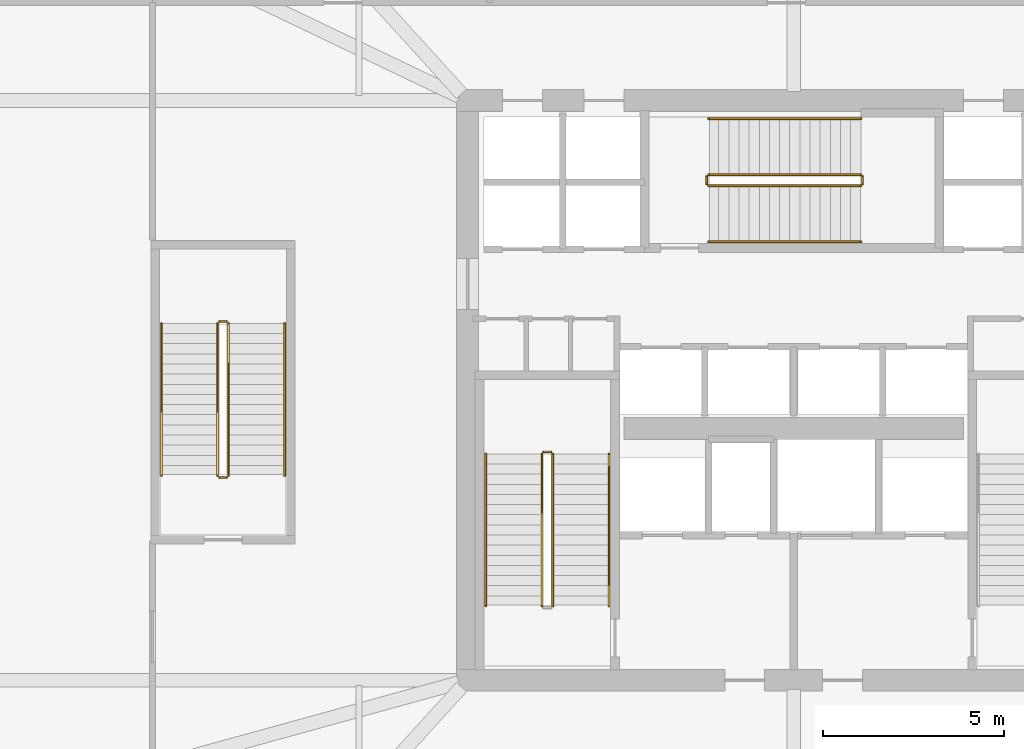
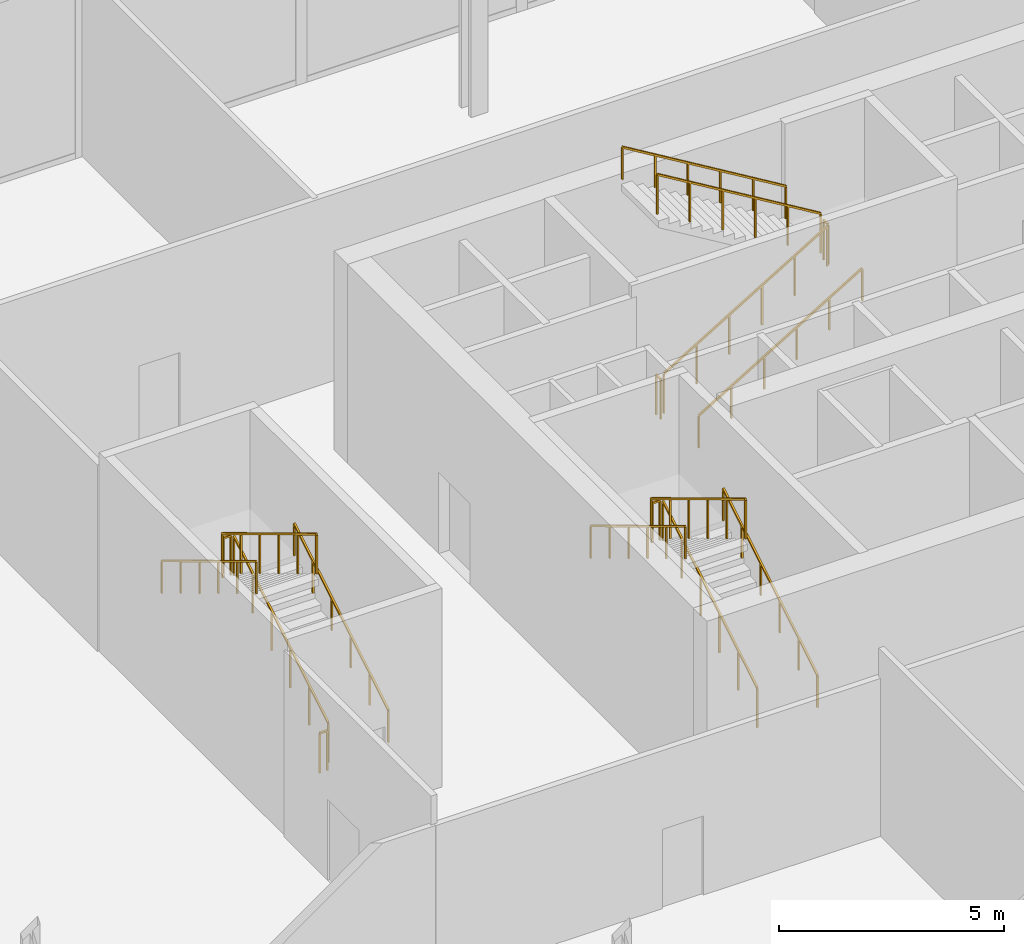
# One storey, part 18 of 20: 17 railings.
"""IFC4 building model written with IfcOpenShell, lengths in metres."""

from ifc_helpers import new_model, si_unit, direction, frame, origin, origin_2d, place, context, subcontext, project, spatial, rectangle, extrude, material, type_object, element, save


model = new_model("IFC4")

# Units and contexts
model_context = context("Model", 3, precision=1e-05, world=origin(), true_north=direction((0.0, 1.0)))
body_context = subcontext(model_context, "Body", "Model", "MODEL_VIEW")
ifc_project = project(units=[si_unit("LENGTHUNIT", "METRE"), si_unit("AREAUNIT", "SQUARE_METRE"), si_unit("VOLUMEUNIT", "CUBIC_METRE"), si_unit("PLANEANGLEUNIT", "RADIAN"), si_unit("MASSUNIT", "GRAM", prefix="KILO")], contexts=[model_context])

# Site, building, storey
site_placement = place(None, origin())
site = spatial("IfcSite", under=ifc_project, at=site_placement, CompositionType="ELEMENT")
building_placement = place(site_placement, origin())
building = spatial("IfcBuilding", under=site, at=building_placement, Name="Haldenkirk Collegiate Tower", CompositionType="ELEMENT")
storey_placement = place(building_placement, frame((0.0, 0.0, 11.39990234375)))
storey = spatial("IfcBuildingStorey", under=building, at=storey_placement, Name="L02", CompositionType="ELEMENT", Elevation=11.39990234375)

# Railings
ifc_material = material(Name="Painted architectural tubular steel", Category="steel")
railing_type_1 = type_object("IfcRailingType", Name="RLG-STAIR-GUARD-1100", PredefinedType="BALUSTRADE", material=ifc_material)
railing_1_placement = place(storey_placement, frame((29.35009765625, 20.050048828125, 0.1689453125)))
element("IfcRailing", 1, at=railing_1_placement, inside=storey, type_object=railing_type_1, Name="L02 ST-1 stair guard 1", PredefinedType="BALUSTRADE", context=body_context, shape_type="SweptSolid", body=[
    extrude(rectangle(XDim=0.048095703125, YDim=0.048095703125, at=origin_2d()), frame((0.0, 0.0, 1.076171875), z_axis=(0.0, 0.856476492594, 0.516186030065), x_axis=(-1.0, 0.0, 0.0)), (0.0, 0.0, 1.0), 4.90380859375),
    extrude(rectangle(XDim=0.0419921875, YDim=0.0419921875, at=origin_2d()), origin(), (0.0, 0.0, 1.0), 1.052001953125),
    extrude(rectangle(XDim=0.0419921875, YDim=0.0419921875, at=origin_2d()), frame((0.0, 0.840087890625, 0.50634765625)), (0.0, 0.0, 1.0), 1.052001953125),
    extrude(rectangle(XDim=0.0419921875, YDim=0.0419921875, at=origin_2d()), frame((0.0, 1.679931640625, 1.012451171875)), (0.0, 0.0, 1.0), 1.052001953125),
    extrude(rectangle(XDim=0.0419921875, YDim=0.0419921875, at=origin_2d()), frame((0.0, 2.52001953125, 1.518798828125)), (0.0, 0.0, 1.0), 1.052001953125),
    extrude(rectangle(XDim=0.0419921875, YDim=0.0419921875, at=origin_2d()), frame((0.0, 3.35986328125, 2.02490234375)), (0.0, 0.0, 1.0), 1.052001953125),
    extrude(rectangle(XDim=0.0419921875, YDim=0.0419921875, at=origin_2d()), frame((0.0, 4.199951171875, 2.53125)), (0.0, 0.0, 1.0), 1.052001953125),
])
railing_2_placement = place(storey_placement, frame((29.300048828125, 24.300048828125, 2.7001953125)))
element("IfcRailing", 2, at=railing_2_placement, inside=storey, type_object=railing_type_1, Name="L02 ST-1 stair guard 2", PredefinedType="BALUSTRADE", context=body_context, shape_type="SweptSolid", body=[
    extrude(rectangle(XDim=0.048095703125, YDim=0.048095703125, at=origin_2d()), frame((0.0, 0.0, 1.076171875), z_axis=(-1.0, 0.0, 0.0), x_axis=(0.0, -1.0, 0.0)), (0.0, 0.0, 1.0), 0.199951171875),
    extrude(rectangle(XDim=0.0419921875, YDim=0.0419921875, at=origin_2d()), origin(), (0.0, 0.0, 1.0), 1.052001953125),
    extrude(rectangle(XDim=0.0419921875, YDim=0.0419921875, at=origin_2d()), frame((-0.199951171875, 0.0, 0.0)), (0.0, 0.0, 1.0), 1.052001953125),
])
railing_3_placement = place(storey_placement, frame((29.050048828125, 24.25, 2.868896484375)))
element("IfcRailing", 3, at=railing_3_placement, inside=storey, type_object=railing_type_1, Name="L02 ST-1 stair guard 3", PredefinedType="BALUSTRADE", context=body_context, shape_type="SweptSolid", body=[
    extrude(rectangle(XDim=0.048095703125, YDim=0.048095703125, at=origin_2d()), frame((0.0, 0.0, 1.076171875), z_axis=(0.0, -0.856476492594, 0.516186030065), x_axis=(1.0, 0.0, 0.0)), (0.0, 0.0, 1.0), 4.90380859375),
    extrude(rectangle(XDim=0.0419921875, YDim=0.0419921875, at=origin_2d()), origin(), (0.0, 0.0, 1.0), 1.052001953125),
    extrude(rectangle(XDim=0.0419921875, YDim=0.0419921875, at=origin_2d()), frame((0.0, -0.840087890625, 0.50634765625)), (0.0, 0.0, 1.0), 1.052001953125),
    extrude(rectangle(XDim=0.0419921875, YDim=0.0419921875, at=origin_2d()), frame((0.0, -1.679931640625, 1.012451171875)), (0.0, 0.0, 1.0), 1.052001953125),
    extrude(rectangle(XDim=0.0419921875, YDim=0.0419921875, at=origin_2d()), frame((0.0, -2.52001953125, 1.518798828125)), (0.0, 0.0, 1.0), 1.052001953125),
    extrude(rectangle(XDim=0.0419921875, YDim=0.0419921875, at=origin_2d()), frame((0.0, -3.35986328125, 2.02490234375)), (0.0, 0.0, 1.0), 1.052001953125),
    extrude(rectangle(XDim=0.0419921875, YDim=0.0419921875, at=origin_2d()), frame((0.0, -4.199951171875, 2.53125)), (0.0, 0.0, 1.0), 1.052001953125),
])
railing_4_placement = place(storey_placement, frame((33.64990234375, 31.64990234375, 0.1689453125)))
element("IfcRailing", 4, at=railing_4_placement, inside=storey, type_object=railing_type_1, Name="L02 ST-3 stair guard 1", PredefinedType="BALUSTRADE", context=body_context, shape_type="SweptSolid", body=[
    extrude(rectangle(XDim=0.048095703125, YDim=0.048095703125, at=origin_2d()), frame((0.0, 0.0, 1.076171875), z_axis=(0.856489757249, 0.0, 0.516164020179), x_axis=(0.0, 1.0, 0.0)), (0.0, 0.0, 1.0), 4.904052734375),
    extrude(rectangle(XDim=0.0419921875, YDim=0.0419921875, at=origin_2d()), origin(), (0.0, 0.0, 1.0), 1.052001953125),
    extrude(rectangle(XDim=0.0419921875, YDim=0.0419921875, at=origin_2d()), frame((0.840087890625, 0.0, 0.50634765625)), (0.0, 0.0, 1.0), 1.052001953125),
    extrude(rectangle(XDim=0.0419921875, YDim=0.0419921875, at=origin_2d()), frame((1.68017578125, 0.0, 1.012451171875)), (0.0, 0.0, 1.0), 1.052001953125),
    extrude(rectangle(XDim=0.0419921875, YDim=0.0419921875, at=origin_2d()), frame((2.52001953125, 0.0, 1.518798828125)), (0.0, 0.0, 1.0), 1.052001953125),
    extrude(rectangle(XDim=0.0419921875, YDim=0.0419921875, at=origin_2d()), frame((3.360107421875, 0.0, 2.02490234375)), (0.0, 0.0, 1.0), 1.052001953125),
    extrude(rectangle(XDim=0.0419921875, YDim=0.0419921875, at=origin_2d()), frame((4.2001953125, 0.0, 2.53125)), (0.0, 0.0, 1.0), 1.052001953125),
])
railing_5_placement = place(storey_placement, frame((37.89990234375, 31.699951171875, 2.7001953125)))
element("IfcRailing", 5, at=railing_5_placement, inside=storey, type_object=railing_type_1, Name="L02 ST-3 stair guard 2", PredefinedType="BALUSTRADE", context=body_context, shape_type="SweptSolid", body=[
    extrude(rectangle(XDim=0.048095703125, YDim=0.048095703125, at=origin_2d()), frame((0.0, 0.0, 1.076171875), z_axis=(0.0, 1.0, 0.0), x_axis=(-1.0, 0.0, 0.0)), (0.0, 0.0, 1.0), 0.199951171875),
    extrude(rectangle(XDim=0.0419921875, YDim=0.0419921875, at=origin_2d()), origin(), (0.0, 0.0, 1.0), 1.052001953125),
    extrude(rectangle(XDim=0.0419921875, YDim=0.0419921875, at=origin_2d()), frame((0.0, 0.199951171875, 0.0)), (0.0, 0.0, 1.0), 1.052001953125),
])
railing_6_placement = place(storey_placement, frame((37.85009765625, 31.949951171875, 2.868896484375)))
element("IfcRailing", 6, at=railing_6_placement, inside=storey, type_object=railing_type_1, Name="L02 ST-3 stair guard 3", PredefinedType="BALUSTRADE", context=body_context, shape_type="SweptSolid", body=[
    extrude(rectangle(XDim=0.048095703125, YDim=0.048095703125, at=origin_2d()), frame((0.0, 0.0, 1.076171875), z_axis=(-0.856489757249, 0.0, 0.516164020179), x_axis=(0.0, -1.0, 0.0)), (0.0, 0.0, 1.0), 4.904052734375),
    extrude(rectangle(XDim=0.0419921875, YDim=0.0419921875, at=origin_2d()), origin(), (0.0, 0.0, 1.0), 1.052001953125),
    extrude(rectangle(XDim=0.0419921875, YDim=0.0419921875, at=origin_2d()), frame((-0.840087890625, 0.0, 0.50634765625)), (0.0, 0.0, 1.0), 1.052001953125),
    extrude(rectangle(XDim=0.0419921875, YDim=0.0419921875, at=origin_2d()), frame((-1.68017578125, 0.0, 1.012451171875)), (0.0, 0.0, 1.0), 1.052001953125),
    extrude(rectangle(XDim=0.0419921875, YDim=0.0419921875, at=origin_2d()), frame((-2.52001953125, 0.0, 1.518798828125)), (0.0, 0.0, 1.0), 1.052001953125),
    extrude(rectangle(XDim=0.0419921875, YDim=0.0419921875, at=origin_2d()), frame((-3.360107421875, 0.0, 2.02490234375)), (0.0, 0.0, 1.0), 1.052001953125),
    extrude(rectangle(XDim=0.0419921875, YDim=0.0419921875, at=origin_2d()), frame((-4.2001953125, 0.0, 2.53125)), (0.0, 0.0, 1.0), 1.052001953125),
])
railing_7_placement = place(storey_placement, frame((33.60009765625, 31.699951171875, 0.0)))
element("IfcRailing", 7, at=railing_7_placement, inside=storey, type_object=railing_type_1, Name="L02 ST-3 stair guard 4", PredefinedType="BALUSTRADE", context=body_context, shape_type="SweptSolid", body=[
    extrude(rectangle(XDim=0.048095703125, YDim=0.048095703125, at=origin_2d()), frame((0.0, 0.0, 1.076171875), z_axis=(0.0, 1.0, 0.0), x_axis=(-1.0, 0.0, 0.0)), (0.0, 0.0, 1.0), 0.199951171875),
    extrude(rectangle(XDim=0.0419921875, YDim=0.0419921875, at=origin_2d()), origin(), (0.0, 0.0, 1.0), 1.052001953125),
    extrude(rectangle(XDim=0.0419921875, YDim=0.0419921875, at=origin_2d()), frame((0.0, 0.199951171875, 0.0)), (0.0, 0.0, 1.0), 1.052001953125),
])
railing_8_placement = place(storey_placement, frame((20.39990234375, 23.64990234375, 0.1689453125)))
element("IfcRailing", 8, at=railing_8_placement, inside=storey, type_object=railing_type_1, Name="L02 ST-4 stair guard 1", PredefinedType="BALUSTRADE", context=body_context, shape_type="SweptSolid", body=[
    extrude(rectangle(XDim=0.048095703125, YDim=0.048095703125, at=origin_2d()), frame((0.0, 0.0, 1.076171875), z_axis=(0.0, 0.856489757249, 0.516164020179), x_axis=(-1.0, 0.0, 0.0)), (0.0, 0.0, 1.0), 4.904052734375),
    extrude(rectangle(XDim=0.0419921875, YDim=0.0419921875, at=origin_2d()), origin(), (0.0, 0.0, 1.0), 1.052001953125),
    extrude(rectangle(XDim=0.0419921875, YDim=0.0419921875, at=origin_2d()), frame((0.0, 0.840087890625, 0.50634765625)), (0.0, 0.0, 1.0), 1.052001953125),
    extrude(rectangle(XDim=0.0419921875, YDim=0.0419921875, at=origin_2d()), frame((0.0, 1.68017578125, 1.012451171875)), (0.0, 0.0, 1.0), 1.052001953125),
    extrude(rectangle(XDim=0.0419921875, YDim=0.0419921875, at=origin_2d()), frame((0.0, 2.52001953125, 1.518798828125)), (0.0, 0.0, 1.0), 1.052001953125),
    extrude(rectangle(XDim=0.0419921875, YDim=0.0419921875, at=origin_2d()), frame((0.0, 3.360107421875, 2.02490234375)), (0.0, 0.0, 1.0), 1.052001953125),
    extrude(rectangle(XDim=0.0419921875, YDim=0.0419921875, at=origin_2d()), frame((0.0, 4.2001953125, 2.53125)), (0.0, 0.0, 1.0), 1.052001953125),
])
railing_9_placement = place(storey_placement, frame((20.35009765625, 27.89990234375, 2.7001953125)))
element("IfcRailing", 9, at=railing_9_placement, inside=storey, type_object=railing_type_1, Name="L02 ST-4 stair guard 2", PredefinedType="BALUSTRADE", context=body_context, shape_type="SweptSolid", body=[
    extrude(rectangle(XDim=0.048095703125, YDim=0.048095703125, at=origin_2d()), frame((0.0, 0.0, 1.076171875), z_axis=(-1.0, 0.0, 0.0), x_axis=(0.0, -1.0, 0.0)), (0.0, 0.0, 1.0), 0.2001953125),
    extrude(rectangle(XDim=0.0419921875, YDim=0.0419921875, at=origin_2d()), origin(), (0.0, 0.0, 1.0), 1.052001953125),
    extrude(rectangle(XDim=0.0419921875, YDim=0.0419921875, at=origin_2d()), frame((-0.2001953125, 0.0, 0.0)), (0.0, 0.0, 1.0), 1.052001953125),
])
railing_10_placement = place(storey_placement, frame((20.10009765625, 27.85009765625, 2.868896484375)))
element("IfcRailing", 10, at=railing_10_placement, inside=storey, type_object=railing_type_1, Name="L02 ST-4 stair guard 3", PredefinedType="BALUSTRADE", context=body_context, shape_type="SweptSolid", body=[
    extrude(rectangle(XDim=0.048095703125, YDim=0.048095703125, at=origin_2d()), frame((0.0, 0.0, 1.076171875), z_axis=(0.0, -0.856489757249, 0.516164020179), x_axis=(1.0, 0.0, 0.0)), (0.0, 0.0, 1.0), 4.904052734375),
    extrude(rectangle(XDim=0.0419921875, YDim=0.0419921875, at=origin_2d()), origin(), (0.0, 0.0, 1.0), 1.052001953125),
    extrude(rectangle(XDim=0.0419921875, YDim=0.0419921875, at=origin_2d()), frame((0.0, -0.840087890625, 0.50634765625)), (0.0, 0.0, 1.0), 1.052001953125),
    extrude(rectangle(XDim=0.0419921875, YDim=0.0419921875, at=origin_2d()), frame((0.0, -1.68017578125, 1.012451171875)), (0.0, 0.0, 1.0), 1.052001953125),
    extrude(rectangle(XDim=0.0419921875, YDim=0.0419921875, at=origin_2d()), frame((0.0, -2.52001953125, 1.518798828125)), (0.0, 0.0, 1.0), 1.052001953125),
    extrude(rectangle(XDim=0.0419921875, YDim=0.0419921875, at=origin_2d()), frame((0.0, -3.360107421875, 2.02490234375)), (0.0, 0.0, 1.0), 1.052001953125),
    extrude(rectangle(XDim=0.0419921875, YDim=0.0419921875, at=origin_2d()), frame((0.0, -4.2001953125, 2.53125)), (0.0, 0.0, 1.0), 1.052001953125),
])
railing_11_placement = place(storey_placement, frame((20.35009765625, 23.60009765625, 0.0)))
element("IfcRailing", 11, at=railing_11_placement, inside=storey, type_object=railing_type_1, Name="L02 ST-4 stair guard 4", PredefinedType="BALUSTRADE", context=body_context, shape_type="SweptSolid", body=[
    extrude(rectangle(XDim=0.048095703125, YDim=0.048095703125, at=origin_2d()), frame((0.0, 0.0, 1.076171875), z_axis=(-1.0, 0.0, 0.0), x_axis=(0.0, -1.0, 0.0)), (0.0, 0.0, 1.0), 0.2001953125),
    extrude(rectangle(XDim=0.0419921875, YDim=0.0419921875, at=origin_2d()), origin(), (0.0, 0.0, 1.0), 1.052001953125),
    extrude(rectangle(XDim=0.0419921875, YDim=0.0419921875, at=origin_2d()), frame((-0.2001953125, 0.0, 0.0)), (0.0, 0.0, 1.0), 1.052001953125),
])
railing_type_2 = type_object("IfcRailingType", Name="RLG-STAIR-HANDRAIL-900", PredefinedType="HANDRAIL", material=ifc_material)
railing_12_placement = place(storey_placement, frame((30.89990234375, 20.050048828125, 0.1689453125)))
element("IfcRailing", 12, at=railing_12_placement, inside=storey, type_object=railing_type_2, Name="L02 ST-1 stair handrail 1", PredefinedType="HANDRAIL", context=body_context, shape_type="SweptSolid", body=[
    extrude(rectangle(XDim=0.048095703125, YDim=0.048095703125, at=origin_2d()), frame((0.0, 0.0, 0.8759765625), z_axis=(0.0, 0.856476492594, 0.516186030065), x_axis=(-1.0, 0.0, 0.0)), (0.0, 0.0, 1.0), 4.90380859375),
    extrude(rectangle(XDim=0.0419921875, YDim=0.0419921875, at=origin_2d()), origin(), (0.0, 0.0, 1.0), 0.851806640625),
    extrude(rectangle(XDim=0.0419921875, YDim=0.0419921875, at=origin_2d()), frame((0.0, 0.840087890625, 0.50634765625)), (0.0, 0.0, 1.0), 0.851806640625),
    extrude(rectangle(XDim=0.0419921875, YDim=0.0419921875, at=origin_2d()), frame((0.0, 1.679931640625, 1.012451171875)), (0.0, 0.0, 1.0), 0.851806640625),
    extrude(rectangle(XDim=0.0419921875, YDim=0.0419921875, at=origin_2d()), frame((0.0, 2.52001953125, 1.518798828125)), (0.0, 0.0, 1.0), 0.851806640625),
    extrude(rectangle(XDim=0.0419921875, YDim=0.0419921875, at=origin_2d()), frame((0.0, 3.35986328125, 2.02490234375)), (0.0, 0.0, 1.0), 0.851806640625),
    extrude(rectangle(XDim=0.0419921875, YDim=0.0419921875, at=origin_2d()), frame((0.0, 4.199951171875, 2.53125)), (0.0, 0.0, 1.0), 0.851806640625),
])
railing_13_placement = place(storey_placement, frame((27.5, 24.25, 2.868896484375)))
element("IfcRailing", 13, at=railing_13_placement, inside=storey, type_object=railing_type_2, Name="L02 ST-1 stair handrail 2", PredefinedType="HANDRAIL", context=body_context, shape_type="SweptSolid", body=[
    extrude(rectangle(XDim=0.048095703125, YDim=0.048095703125, at=origin_2d()), frame((0.0, 0.0, 0.8759765625), z_axis=(0.0, -0.856476492594, 0.516186030065), x_axis=(1.0, 0.0, 0.0)), (0.0, 0.0, 1.0), 4.90380859375),
    extrude(rectangle(XDim=0.0419921875, YDim=0.0419921875, at=origin_2d()), origin(), (0.0, 0.0, 1.0), 0.851806640625),
    extrude(rectangle(XDim=0.0419921875, YDim=0.0419921875, at=origin_2d()), frame((0.0, -0.840087890625, 0.50634765625)), (0.0, 0.0, 1.0), 0.851806640625),
    extrude(rectangle(XDim=0.0419921875, YDim=0.0419921875, at=origin_2d()), frame((0.0, -1.679931640625, 1.012451171875)), (0.0, 0.0, 1.0), 0.851806640625),
    extrude(rectangle(XDim=0.0419921875, YDim=0.0419921875, at=origin_2d()), frame((0.0, -2.52001953125, 1.518798828125)), (0.0, 0.0, 1.0), 0.851806640625),
    extrude(rectangle(XDim=0.0419921875, YDim=0.0419921875, at=origin_2d()), frame((0.0, -3.35986328125, 2.02490234375)), (0.0, 0.0, 1.0), 0.851806640625),
    extrude(rectangle(XDim=0.0419921875, YDim=0.0419921875, at=origin_2d()), frame((0.0, -4.199951171875, 2.53125)), (0.0, 0.0, 1.0), 0.851806640625),
])
railing_14_placement = place(storey_placement, frame((33.64990234375, 30.10009765625, 0.1689453125)))
element("IfcRailing", 14, at=railing_14_placement, inside=storey, type_object=railing_type_2, Name="L02 ST-3 stair handrail 1", PredefinedType="HANDRAIL", context=body_context, shape_type="SweptSolid", body=[
    extrude(rectangle(XDim=0.048095703125, YDim=0.048095703125, at=origin_2d()), frame((0.0, 0.0, 0.8759765625), z_axis=(0.856489757249, 0.0, 0.516164020179), x_axis=(0.0, 1.0, 0.0)), (0.0, 0.0, 1.0), 4.904052734375),
    extrude(rectangle(XDim=0.0419921875, YDim=0.0419921875, at=origin_2d()), origin(), (0.0, 0.0, 1.0), 0.851806640625),
    extrude(rectangle(XDim=0.0419921875, YDim=0.0419921875, at=origin_2d()), frame((0.840087890625, 0.0, 0.50634765625)), (0.0, 0.0, 1.0), 0.851806640625),
    extrude(rectangle(XDim=0.0419921875, YDim=0.0419921875, at=origin_2d()), frame((1.68017578125, 0.0, 1.012451171875)), (0.0, 0.0, 1.0), 0.851806640625),
    extrude(rectangle(XDim=0.0419921875, YDim=0.0419921875, at=origin_2d()), frame((2.52001953125, 0.0, 1.518798828125)), (0.0, 0.0, 1.0), 0.851806640625),
    extrude(rectangle(XDim=0.0419921875, YDim=0.0419921875, at=origin_2d()), frame((3.360107421875, 0.0, 2.02490234375)), (0.0, 0.0, 1.0), 0.851806640625),
    extrude(rectangle(XDim=0.0419921875, YDim=0.0419921875, at=origin_2d()), frame((4.2001953125, 0.0, 2.53125)), (0.0, 0.0, 1.0), 0.851806640625),
])
railing_15_placement = place(storey_placement, frame((37.85009765625, 33.5, 2.868896484375)))
element("IfcRailing", 15, at=railing_15_placement, inside=storey, type_object=railing_type_2, Name="L02 ST-3 stair handrail 2", PredefinedType="HANDRAIL", context=body_context, shape_type="SweptSolid", body=[
    extrude(rectangle(XDim=0.048095703125, YDim=0.048095703125, at=origin_2d()), frame((0.0, 0.0, 0.8759765625), z_axis=(-0.856489757249, 0.0, 0.516164020179), x_axis=(0.0, -1.0, 0.0)), (0.0, 0.0, 1.0), 4.904052734375),
    extrude(rectangle(XDim=0.0419921875, YDim=0.0419921875, at=origin_2d()), origin(), (0.0, 0.0, 1.0), 0.851806640625),
    extrude(rectangle(XDim=0.0419921875, YDim=0.0419921875, at=origin_2d()), frame((-0.840087890625, 0.0, 0.50634765625)), (0.0, 0.0, 1.0), 0.851806640625),
    extrude(rectangle(XDim=0.0419921875, YDim=0.0419921875, at=origin_2d()), frame((-1.68017578125, 0.0, 1.012451171875)), (0.0, 0.0, 1.0), 0.851806640625),
    extrude(rectangle(XDim=0.0419921875, YDim=0.0419921875, at=origin_2d()), frame((-2.52001953125, 0.0, 1.518798828125)), (0.0, 0.0, 1.0), 0.851806640625),
    extrude(rectangle(XDim=0.0419921875, YDim=0.0419921875, at=origin_2d()), frame((-3.360107421875, 0.0, 2.02490234375)), (0.0, 0.0, 1.0), 0.851806640625),
    extrude(rectangle(XDim=0.0419921875, YDim=0.0419921875, at=origin_2d()), frame((-4.2001953125, 0.0, 2.53125)), (0.0, 0.0, 1.0), 0.851806640625),
])
railing_16_placement = place(storey_placement, frame((21.949951171875, 23.64990234375, 0.1689453125)))
element("IfcRailing", 16, at=railing_16_placement, inside=storey, type_object=railing_type_2, Name="L02 ST-4 stair handrail 1", PredefinedType="HANDRAIL", context=body_context, shape_type="SweptSolid", body=[
    extrude(rectangle(XDim=0.048095703125, YDim=0.048095703125, at=origin_2d()), frame((0.0, 0.0, 0.8759765625), z_axis=(0.0, 0.856489757249, 0.516164020179), x_axis=(-1.0, 0.0, 0.0)), (0.0, 0.0, 1.0), 4.904052734375),
    extrude(rectangle(XDim=0.0419921875, YDim=0.0419921875, at=origin_2d()), origin(), (0.0, 0.0, 1.0), 0.851806640625),
    extrude(rectangle(XDim=0.0419921875, YDim=0.0419921875, at=origin_2d()), frame((0.0, 0.840087890625, 0.50634765625)), (0.0, 0.0, 1.0), 0.851806640625),
    extrude(rectangle(XDim=0.0419921875, YDim=0.0419921875, at=origin_2d()), frame((0.0, 1.68017578125, 1.012451171875)), (0.0, 0.0, 1.0), 0.851806640625),
    extrude(rectangle(XDim=0.0419921875, YDim=0.0419921875, at=origin_2d()), frame((0.0, 2.52001953125, 1.518798828125)), (0.0, 0.0, 1.0), 0.851806640625),
    extrude(rectangle(XDim=0.0419921875, YDim=0.0419921875, at=origin_2d()), frame((0.0, 3.360107421875, 2.02490234375)), (0.0, 0.0, 1.0), 0.851806640625),
    extrude(rectangle(XDim=0.0419921875, YDim=0.0419921875, at=origin_2d()), frame((0.0, 4.2001953125, 2.53125)), (0.0, 0.0, 1.0), 0.851806640625),
])
railing_17_placement = place(storey_placement, frame((18.550048828125, 27.85009765625, 2.868896484375)))
element("IfcRailing", 17, at=railing_17_placement, inside=storey, type_object=railing_type_2, Name="L02 ST-4 stair handrail 2", PredefinedType="HANDRAIL", context=body_context, shape_type="SweptSolid", body=[
    extrude(rectangle(XDim=0.048095703125, YDim=0.048095703125, at=origin_2d()), frame((0.0, 0.0, 0.8759765625), z_axis=(0.0, -0.856489757249, 0.516164020179), x_axis=(1.0, 0.0, 0.0)), (0.0, 0.0, 1.0), 4.904052734375),
    extrude(rectangle(XDim=0.0419921875, YDim=0.0419921875, at=origin_2d()), origin(), (0.0, 0.0, 1.0), 0.851806640625),
    extrude(rectangle(XDim=0.0419921875, YDim=0.0419921875, at=origin_2d()), frame((0.0, -0.840087890625, 0.50634765625)), (0.0, 0.0, 1.0), 0.851806640625),
    extrude(rectangle(XDim=0.0419921875, YDim=0.0419921875, at=origin_2d()), frame((0.0, -1.68017578125, 1.012451171875)), (0.0, 0.0, 1.0), 0.851806640625),
    extrude(rectangle(XDim=0.0419921875, YDim=0.0419921875, at=origin_2d()), frame((0.0, -2.52001953125, 1.518798828125)), (0.0, 0.0, 1.0), 0.851806640625),
    extrude(rectangle(XDim=0.0419921875, YDim=0.0419921875, at=origin_2d()), frame((0.0, -3.360107421875, 2.02490234375)), (0.0, 0.0, 1.0), 0.851806640625),
    extrude(rectangle(XDim=0.0419921875, YDim=0.0419921875, at=origin_2d()), frame((0.0, -4.2001953125, 2.53125)), (0.0, 0.0, 1.0), 0.851806640625),
])

save(model, "model.ifc")
